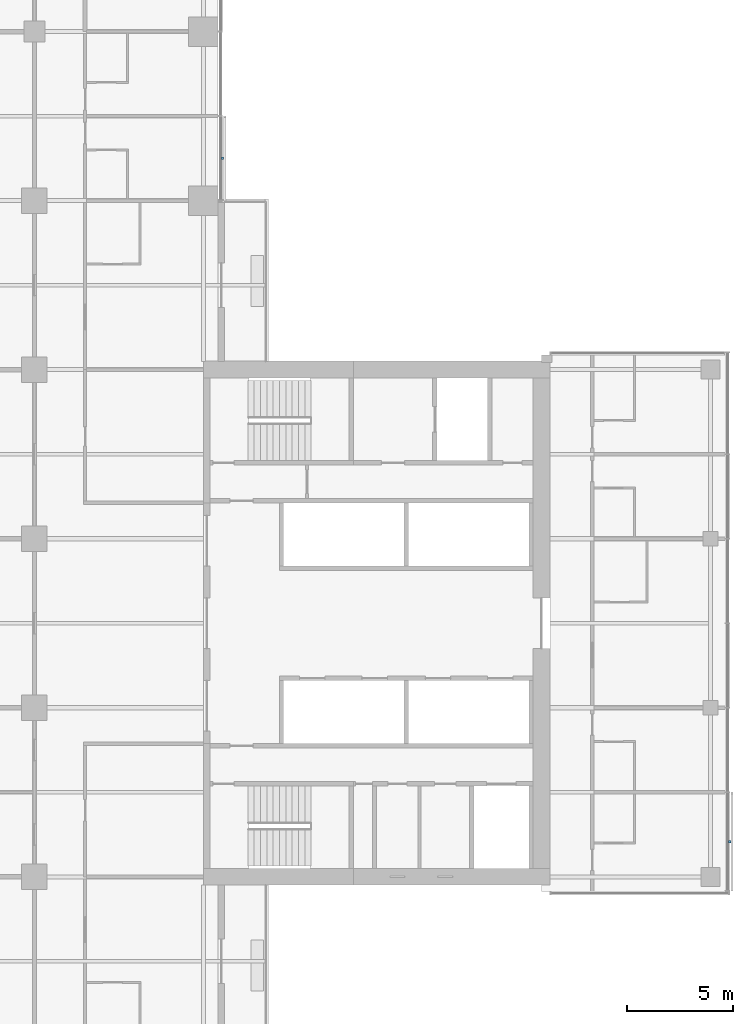
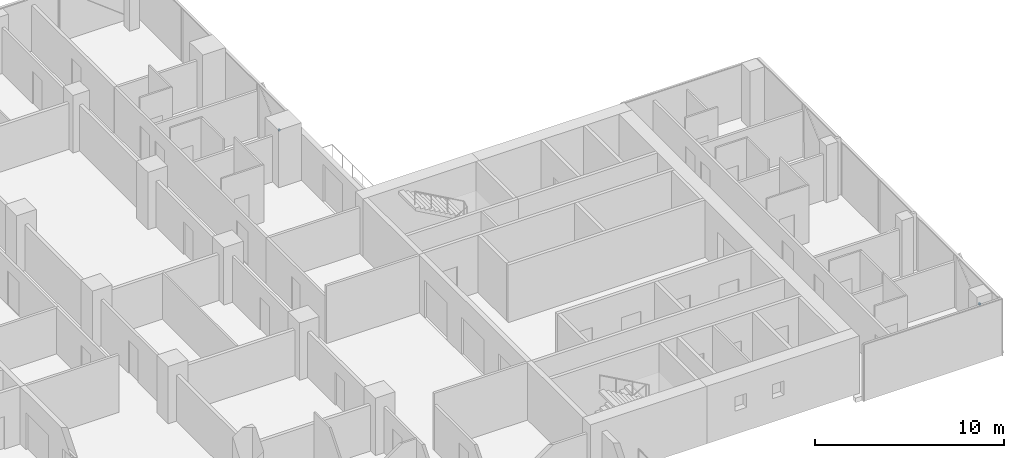
# One storey, part 25 of 27: 2 discrete accessories.
"""IFC4 building model written with IfcOpenShell, lengths in metres."""

from ifc_helpers import new_model, si_unit, direction, frame, origin, origin_2d, place, context, subcontext, project, spatial, rectangle, extrude, material, type_object, element, save


model = new_model("IFC4")

# Units and contexts
model_context = context("Model", 3, precision=1e-05, world=origin(), true_north=direction((0.0, 1.0)))
body_context = subcontext(model_context, "Body", "Model", "MODEL_VIEW")
ifc_project = project(units=[si_unit("LENGTHUNIT", "METRE"), si_unit("AREAUNIT", "SQUARE_METRE"), si_unit("VOLUMEUNIT", "CUBIC_METRE"), si_unit("PLANEANGLEUNIT", "RADIAN"), si_unit("MASSUNIT", "GRAM", prefix="KILO")], contexts=[model_context])

# Site, building, storey
site_placement = place(None, origin())
site = spatial("IfcSite", under=ifc_project, at=site_placement, CompositionType="ELEMENT")
building_placement = place(site_placement, origin())
building = spatial("IfcBuilding", under=site, at=building_placement, Name="Crosswind Convention Tower", CompositionType="ELEMENT")
storey_placement = place(building_placement, frame((0.0, 0.0, 64.60009765625)))
storey = spatial("IfcBuildingStorey", under=building, at=storey_placement, Name="L10", CompositionType="ELEMENT", Elevation=64.60009765625)

# Discrete accessories
ifc_material = material(Name="Stainless steel", Category="steel")
discrete_accessory_type = type_object("IfcDiscreteAccessoryType", Name="BAGUETTE BRACKET BK2", PredefinedType="BRACKET", material=ifc_material)
for number, where, z_axis, x_axis, name in (
    (1, (161.907958984375, 89.666259765625, 1.477294921875), (0.0, 0.0, 1.0), (0.0, 1.0, 0.0), "BK2 baguette bracket"),
    (2, (137.907958984375, 122.0, 1.477294921875), (0.0, 0.0, 1.0), (0.0, 1.0, 0.0), "BK2 baguette bracket"),
):
    element("IfcDiscreteAccessory", number, at=place(storey_placement, frame(where, z_axis=z_axis, x_axis=x_axis)), inside=storey, type_object=discrete_accessory_type, Name=name, PredefinedType="BRACKET", context=body_context, shape_type="SweptSolid", body=[
        extrude(rectangle(XDim=0.1201171875, YDim=0.10009765625, at=origin_2d()), origin(), (0.0, 0.0, 1.0), 0.1201171875),
    ])

save(model, "model.ifc")
